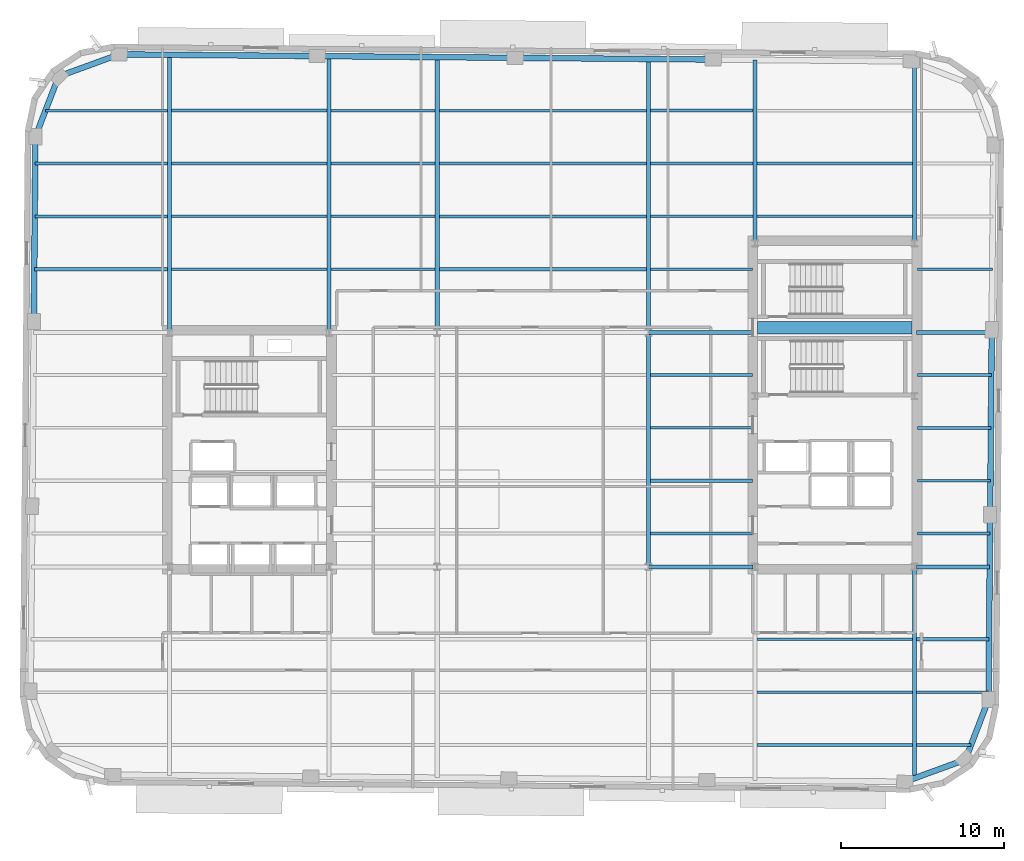
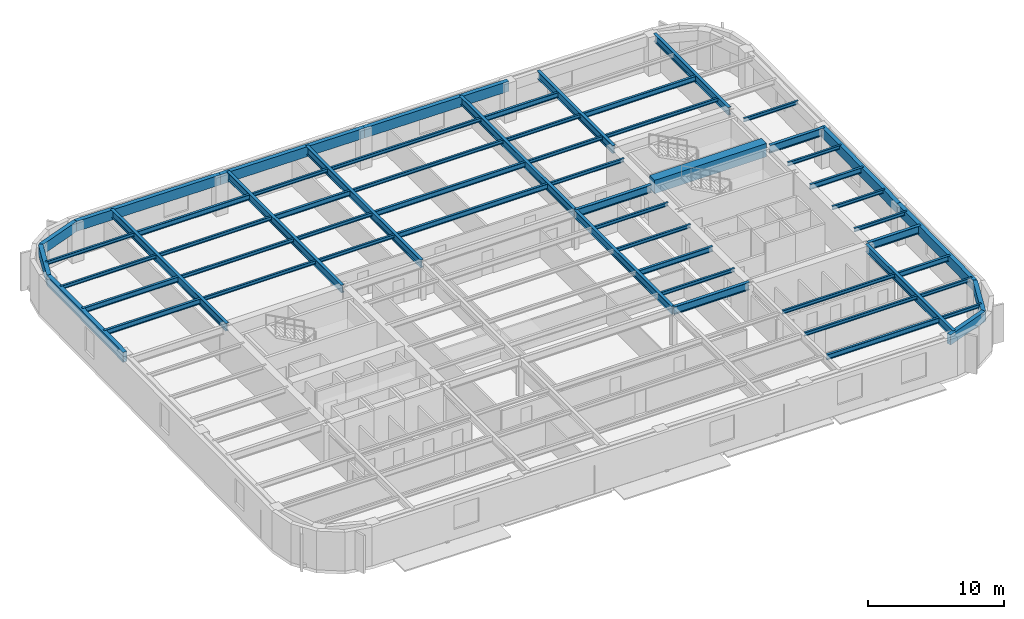
# One storey, part 2 of 12: 60 beams.
"""IFC4 building model written with IfcOpenShell, lengths in metres."""

import ifcopenshell
import ifcopenshell.guid

model = None  # the IFC model being written
_history = None  # IfcOwnerHistory: only IFC2X3 demands one
_inside = {}  # id of a spatial element -> (the spatial element, [elements in it])
_under = {}  # id of a project, library or spatial element -> (it, [spatial elements below it])
_declared = {}  # id of a project -> (the project, [libraries it declares])
_typed = {}  # id of a type object -> (the type object, [elements of that type])
_made_of = {}  # id of a material, layer set ... -> (it, [elements and type objects made of it])


def new_model(schema):
    """Start an empty IFC model of exactly this schema.

    Asked for "IFC4X3", IfcOpenShell would pick the latest addendum, in which some entities
    have other attributes; the version numbers below select the first issue.
    IFC2X3 requires an IfcOwnerHistory on every rooted entity: one is made here for all.
    """
    global model, _history
    if schema == "IFC4X3":
        model = ifcopenshell.file(schema_version=(4, 3, 0, 0))
    else:
        model = ifcopenshell.file(schema=schema)
    _inside.clear()
    _under.clear()
    _declared.clear()
    _typed.clear()
    _made_of.clear()
    _history = None
    if model.schema == "IFC2X3":
        org = make("IfcOrganization", Name="unknown")
        user = make(
            "IfcPersonAndOrganization",
            ThePerson=make("IfcPerson", FamilyName="unknown"),
            TheOrganization=org,
        )
        app = make(
            "IfcApplication",
            ApplicationDeveloper=org,
            Version="unknown",
            ApplicationFullName="unknown",
            ApplicationIdentifier="unknown",
        )
        _history = make(
            "IfcOwnerHistory",
            OwningUser=user,
            OwningApplication=app,
            ChangeAction="ADDED",
            CreationDate=0,
        )
    return model


def make(cls, **values):
    """One entity of the class cls with the attributes given. An attribute that is None is left unset."""
    return model.create_entity(
        cls, **{name: value for name, value in values.items() if value is not None}
    )


def rooted(cls, **values):
    """An entity with a GlobalId (a new one), such as an element, a storey or a relation."""
    return make(cls, GlobalId=ifcopenshell.guid.new(), OwnerHistory=_history, **values)


def si_unit(unit_type, name, prefix=None):
    """IfcSIUnit, for example si_unit("LENGTHUNIT", "METRE", prefix="MILLI")."""
    return make("IfcSIUnit", UnitType=unit_type, Prefix=prefix, Name=name)


def assignment(units):
    """IfcUnitAssignment: the units of a project."""
    return None if units is None else make("IfcUnitAssignment", Units=units)


def point(xyz):
    """IfcCartesianPoint."""
    return None if xyz is None else make("IfcCartesianPoint", Coordinates=xyz)


def direction(xyz):
    """IfcDirection."""
    return None if xyz is None else make("IfcDirection", DirectionRatios=xyz)


def frame(location, z_axis=None, x_axis=None):
    """IfcAxis2Placement3D, a coordinate frame: its origin and axes. An axis left out is left unset."""
    return make(
        "IfcAxis2Placement3D",
        Location=point(location),
        Axis=direction(z_axis),
        RefDirection=direction(x_axis),
    )


def frame_2d(location, x_axis=None):
    """IfcAxis2Placement2D, a coordinate frame in the plane: its origin and x axis."""
    return make(
        "IfcAxis2Placement2D", Location=point(location), RefDirection=direction(x_axis)
    )


def origin():
    """The frame at (0, 0, 0) with its axes left unset."""
    return frame((0.0, 0.0, 0.0))


def origin_2d():
    """The frame at (0, 0) in the plane with its x axis left unset."""
    return frame_2d((0.0, 0.0))


def place(relative_to, where):
    """IfcLocalPlacement: puts the frame where relative to a parent placement (None: the world)."""
    return make(
        "IfcLocalPlacement", PlacementRelTo=relative_to, RelativePlacement=where
    )


def context(
    kind, dimensions, precision=None, world=None, true_north=None, identifier=None
):
    """IfcGeometricRepresentationContext, for example the 3D "Model" context."""
    return make(
        "IfcGeometricRepresentationContext",
        ContextIdentifier=identifier,
        ContextType=kind,
        CoordinateSpaceDimension=dimensions,
        Precision=precision,
        WorldCoordinateSystem=world,
        TrueNorth=true_north,
    )


def subcontext(parent, identifier, kind, view, scale=None):
    """IfcGeometricRepresentationSubContext, for example "Body" below "Model"."""
    return make(
        "IfcGeometricRepresentationSubContext",
        ContextIdentifier=identifier,
        ContextType=kind,
        ParentContext=parent,
        TargetScale=scale,
        TargetView=view,
    )


def project(units=None, contexts=None):
    """IfcProject with its units and contexts."""
    return rooted(
        "IfcProject",
        Name="project",
        RepresentationContexts=contexts,
        UnitsInContext=assignment(units),
    )


def spatial(cls, under=None, at=None, **own):
    """A site, building, storey or space (cls), placed at a placement, below another one or the project."""
    s = rooted(cls, ObjectPlacement=at, **own)
    if under is not None:
        _under.setdefault(under.id(), (under, []))[1].append(s)
    return s


def profile(cls, at=None, kind="AREA", **sizes):
    """A parametric profile (cls). Its sizes go by their IFC names, for example OverallWidth=200.0."""
    return make(cls, ProfileType=kind, Position=at, **sizes)


def rectangle(**sizes):
    """IfcRectangleProfileDef."""
    return profile("IfcRectangleProfileDef", **sizes)


def hollow_rectangle(**sizes):
    """IfcRectangleHollowProfileDef."""
    return profile("IfcRectangleHollowProfileDef", **sizes)


def i_section(**sizes):
    """IfcIShapeProfileDef."""
    return profile("IfcIShapeProfileDef", **sizes)


def extrude(swept, where, along, depth):
    """IfcExtrudedAreaSolid: the profile swept, set in the frame where, extruded along a direction by depth."""
    return make(
        "IfcExtrudedAreaSolid",
        SweptArea=swept,
        Position=where,
        ExtrudedDirection=direction(along),
        Depth=depth,
    )


def shape(context_of_items, identifier, shape_type, items):
    """IfcShapeRepresentation: the items that make up one representation, for example the "Body"."""
    return make(
        "IfcShapeRepresentation",
        ContextOfItems=context_of_items,
        RepresentationIdentifier=identifier,
        RepresentationType=shape_type,
        Items=items,
    )


def material(Name=None, Category=None):
    """IfcMaterial."""
    return make("IfcMaterial", Name=Name, Category=Category)


def material_profile(
    of_material, cross_section, Name=None, Category=None, Priority=None
):
    """IfcMaterialProfile: a cross section and its material."""
    return make(
        "IfcMaterialProfile",
        Name=Name,
        Material=of_material,
        Profile=cross_section,
        Priority=Priority,
        Category=Category,
    )


def profile_set(profiles, Name=None, composite=None):
    """IfcMaterialProfileSet."""
    return make(
        "IfcMaterialProfileSet",
        Name=Name,
        MaterialProfiles=profiles,
        CompositeProfile=composite,
    )


def made_of(thing, what):
    """Note that an element or type object is made of a material, layer set ...; save() writes the relation."""
    if what is not None:
        _made_of.setdefault(what.id(), (what, []))[1].append(thing)
    return thing


def type_object(cls, material=None, **own):
    """A type object (cls), such as IfcWallType, which elements share."""
    return made_of(rooted(cls, **own), material)


def element(
    cls,
    number,
    at=None,
    inside=None,
    cuts=None,
    type_object=None,
    material=None,
    context=None,
    identifier="Body",
    shape_type=None,
    held_by="IfcProductDefinitionShape",
    body=None,
    shapes=None,
    **own,
):
    """One element of the class cls, such as IfcWall. Its Tag is "e" and its number.

    at: its placement. inside: the storey or other place that contains it. cuts: it is an
    opening in that element (IfcRelVoidsElement). A single representation is given by context,
    identifier, shape_type and body (its items); several are given by shapes. held_by: the class
    of the entity that holds the representations. save() writes the other relations.
    """
    e = rooted(cls, Tag="e%d" % number, ObjectPlacement=at, **own)
    if body is not None:
        shapes = [shape(context, identifier, shape_type, body)]
    if shapes is not None:
        e.Representation = make(held_by, Representations=shapes)
    if inside is not None:
        _inside.setdefault(inside.id(), (inside, []))[1].append(e)
    if cuts is not None:
        rooted(
            "IfcRelVoidsElement", RelatingBuildingElement=cuts, RelatedOpeningElement=e
        )
    if type_object is not None:
        _typed.setdefault(type_object.id(), (type_object, []))[1].append(e)
    return made_of(e, material)


def aggregate(whole, parts):
    """IfcRelAggregates: a whole, such as a stair, and the parts it consists of."""
    return rooted("IfcRelAggregates", RelatingObject=whole, RelatedObjects=parts)


def save(model, path):
    """Write the relations noted so far, then the file.

    IfcRelAggregates (storeys below a building ...), IfcRelContainedInSpatialStructure (elements
    in a storey), IfcRelDefinesByType, IfcRelAssociatesMaterial and IfcRelDeclares: one each for
    every whole, place, type object, material and project.
    """
    for whole, parts in _under.values():
        aggregate(whole, parts)
    for where, things in _inside.values():
        rooted(
            "IfcRelContainedInSpatialStructure",
            RelatedElements=things,
            RelatingStructure=where,
        )
    for kind, things in _typed.values():
        rooted("IfcRelDefinesByType", RelatedObjects=things, RelatingType=kind)
    for what, things in _made_of.values():
        rooted("IfcRelAssociatesMaterial", RelatedObjects=things, RelatingMaterial=what)
    for by, libraries in _declared.values():
        rooted("IfcRelDeclares", RelatingContext=by, RelatedDefinitions=libraries)
    model.write(path)


model = new_model("IFC4")

# Units and contexts
model_context = context("Model", 3, precision=1e-05, world=origin(), true_north=direction((0.0, 1.0)))
body_context = subcontext(model_context, "Body", "Model", "MODEL_VIEW")
ifc_project = project(units=[si_unit("LENGTHUNIT", "METRE"), si_unit("AREAUNIT", "SQUARE_METRE"), si_unit("VOLUMEUNIT", "CUBIC_METRE"), si_unit("PLANEANGLEUNIT", "RADIAN"), si_unit("MASSUNIT", "GRAM", prefix="KILO")], contexts=[model_context])

# Site, building, storey
site_placement = place(None, origin())
site = spatial("IfcSite", under=ifc_project, at=site_placement, CompositionType="ELEMENT")
building_placement = place(site_placement, origin())
building = spatial("IfcBuilding", under=site, at=building_placement, Name="Kolvaren Arena Tower", CompositionType="ELEMENT")
storey_placement = place(building_placement, frame((0.0, 0.0, 188.449951171875)))
storey = spatial("IfcBuildingStorey", under=building, at=storey_placement, Name="L45", CompositionType="ELEMENT", Elevation=188.449951171875)

# Beams
ifc_material_1 = material(Name="Steel CSA G40.21 350W", Category="steel")
ifc_material_profile_1 = material_profile(ifc_material_1, i_section(OverallWidth=0.193115234375, OverallDepth=0.462890625, WebThickness=0.0107421875, FlangeThickness=0.0205078125, FilletRadius=0.012939453125, at=origin_2d()), Name="W460x113")
ifc_profile_set_1 = profile_set([ifc_material_profile_1], Name="Steel CSA G40.21 350W")
beam_type_1 = type_object("IfcBeamType", Name="BEAM-F2", PredefinedType="BEAM", material=ifc_profile_set_1)
beam_1_placement = place(storey_placement, frame((50.677490234375, 8.5, 3.24853515625), z_axis=(1.0, 0.0, 0.0), x_axis=(0.0, 1.0, 0.0)))
element("IfcBeam", 1, at=beam_1_placement, inside=storey, type_object=beam_type_1, Name="Composite Floor Beam (L45)", PredefinedType="BEAM", context=body_context, shape_type="SweptSolid", body=[
    extrude(i_section(OverallWidth=0.193115234375, OverallDepth=0.462890625, WebThickness=0.0107421875, FlangeThickness=0.0205078125, FilletRadius=0.012939453125, at=origin_2d()), origin(), (0.0, 0.0, 1.0), 9.544921875),
])
beam_2_placement = place(storey_placement, frame((60.4775390625, 15.0, 3.24853515625), z_axis=(1.0, 0.0, 0.0), x_axis=(0.0, 1.0, 0.0)))
element("IfcBeam", 2, at=beam_2_placement, inside=storey, type_object=beam_type_1, Name="Composite Floor Beam (L45)", PredefinedType="BEAM", context=body_context, shape_type="SweptSolid", body=[
    extrude(i_section(OverallWidth=0.193115234375, OverallDepth=0.462890625, WebThickness=0.0107421875, FlangeThickness=0.0205078125, FilletRadius=0.012939453125, at=origin_2d()), origin(), (0.0, 0.0, 1.0), 4.454833984375),
])
beam_3_placement = place(storey_placement, frame((44.12744140625, 24.75, 3.24853515625), z_axis=(1.0, 0.0, 0.0), x_axis=(0.0, 1.0, 0.0)))
element("IfcBeam", 3, at=beam_3_placement, inside=storey, type_object=beam_type_1, Name="Composite Floor Beam (L45)", PredefinedType="BEAM", context=body_context, shape_type="SweptSolid", body=[
    extrude(i_section(OverallWidth=0.193115234375, OverallDepth=0.462890625, WebThickness=0.0107421875, FlangeThickness=0.0205078125, FilletRadius=0.012939453125, at=origin_2d()), origin(), (0.0, 0.0, 1.0), 6.25244140625),
])
beam_4_placement = place(storey_placement, frame((60.52001953125, 28.0, 3.24853515625), z_axis=(1.0, 0.0, 0.0), x_axis=(0.0, 1.0, 0.0)))
element("IfcBeam", 4, at=beam_4_placement, inside=storey, type_object=beam_type_1, Name="Composite Floor Beam (L45)", PredefinedType="BEAM", context=body_context, shape_type="SweptSolid", body=[
    extrude(i_section(OverallWidth=0.193115234375, OverallDepth=0.462890625, WebThickness=0.0107421875, FlangeThickness=0.0205078125, FilletRadius=0.012939453125, at=origin_2d()), origin(), (0.0, 0.0, 1.0), 4.52587890625),
])
beam_5_placement = place(storey_placement, frame((6.228759765625, 37.75, 3.24853515625), z_axis=(1.0, 0.0, 0.0), x_axis=(0.0, 1.0, 0.0)))
element("IfcBeam", 5, at=beam_5_placement, inside=storey, type_object=beam_type_1, Name="Composite Floor Beam (L45)", PredefinedType="BEAM", context=body_context, shape_type="SweptSolid", body=[
    extrude(i_section(OverallWidth=0.193115234375, OverallDepth=0.462890625, WebThickness=0.0107421875, FlangeThickness=0.0205078125, FilletRadius=0.012939453125, at=origin_2d()), origin(), (0.0, 0.0, 1.0), 8.19384765625),
])
beam_6_placement = place(storey_placement, frame((31.12744140625, 37.75, 3.24853515625), z_axis=(1.0, 0.0, 0.0), x_axis=(0.0, 1.0, 0.0)))
element("IfcBeam", 6, at=beam_6_placement, inside=storey, type_object=beam_type_1, Name="Composite Floor Beam (L45)", PredefinedType="BEAM", context=body_context, shape_type="SweptSolid", body=[
    extrude(i_section(OverallWidth=0.193115234375, OverallDepth=0.462890625, WebThickness=0.0107421875, FlangeThickness=0.0205078125, FilletRadius=0.012939453125, at=origin_2d()), origin(), (0.0, 0.0, 1.0), 12.7451171875),
])
beam_7_placement = place(storey_placement, frame((6.257080078125, 41.0, 3.24853515625), z_axis=(1.0, 0.0, 0.0), x_axis=(0.0, 1.0, 0.0)))
element("IfcBeam", 7, at=beam_7_placement, inside=storey, type_object=beam_type_1, Name="Composite Floor Beam (L45)", PredefinedType="BEAM", context=body_context, shape_type="SweptSolid", body=[
    extrude(i_section(OverallWidth=0.193115234375, OverallDepth=0.462890625, WebThickness=0.0107421875, FlangeThickness=0.0205078125, FilletRadius=0.012939453125, at=origin_2d()), origin(), (0.0, 0.0, 1.0), 8.16552734375),
])
beam_8_placement = place(storey_placement, frame((31.12744140625, 41.0, 3.24853515625), z_axis=(1.0, 0.0, 0.0), x_axis=(0.0, 1.0, 0.0)))
element("IfcBeam", 8, at=beam_8_placement, inside=storey, type_object=beam_type_1, Name="Composite Floor Beam (L45)", PredefinedType="BEAM", context=body_context, shape_type="SweptSolid", body=[
    extrude(i_section(OverallWidth=0.193115234375, OverallDepth=0.462890625, WebThickness=0.0107421875, FlangeThickness=0.0205078125, FilletRadius=0.012939453125, at=origin_2d()), origin(), (0.0, 0.0, 1.0), 12.7451171875),
])
beam_9_placement = place(storey_placement, frame((24.4775390625, 44.25, 3.24853515625), z_axis=(1.0, 0.0, 0.0), x_axis=(0.0, 1.0, 0.0)))
element("IfcBeam", 9, at=beam_9_placement, inside=storey, type_object=beam_type_1, Name="Composite Floor Beam (L45)", PredefinedType="BEAM", context=body_context, shape_type="SweptSolid", body=[
    extrude(i_section(OverallWidth=0.193115234375, OverallDepth=0.462890625, WebThickness=0.0107421875, FlangeThickness=0.0205078125, FilletRadius=0.012939453125, at=origin_2d()), origin(), (0.0, 0.0, 1.0), 6.39501953125),
])
for number, where, z_axis, x_axis, name in (
    (10, (50.677490234375, 44.25, 3.24853515625), (1.0, 0.0, 0.0), (0.0, 1.0, 0.0), "Composite Floor Beam (L45)"),
    (11, (14.677490234375, 47.5, 3.24853515625), (1.0, 0.0, 0.0), (0.0, 1.0, 0.0), "Composite Floor Beam (L45)"),
):
    element("IfcBeam", number, at=place(storey_placement, frame(where, z_axis=z_axis, x_axis=x_axis)), inside=storey, type_object=beam_type_1, Name=name, PredefinedType="BEAM", context=body_context, shape_type="SweptSolid", body=[
        extrude(i_section(OverallWidth=0.193115234375, OverallDepth=0.462890625, WebThickness=0.0107421875, FlangeThickness=0.0205078125, FilletRadius=0.012939453125, at=origin_2d()), origin(), (0.0, 0.0, 1.0), 9.544921875),
    ])
beam_10_placement = place(storey_placement, frame((44.12744140625, 47.5, 3.24853515625), z_axis=(1.0, 0.0, 0.0), x_axis=(0.0, 1.0, 0.0)))
element("IfcBeam", 12, at=beam_10_placement, inside=storey, type_object=beam_type_1, Name="Composite Floor Beam (L45)", PredefinedType="BEAM", context=body_context, shape_type="SweptSolid", body=[
    extrude(i_section(OverallWidth=0.193115234375, OverallDepth=0.462890625, WebThickness=0.0107421875, FlangeThickness=0.0205078125, FilletRadius=0.012939453125, at=origin_2d()), origin(), (0.0, 0.0, 1.0), 6.295166015625),
])
ifc_material_2 = material(Name="Concrete 60 MPa", Category="concrete")
ifc_material_profile_2 = material_profile(ifc_material_2, rectangle(XDim=0.75, YDim=1.199951171875, at=origin_2d()), Name="RC-750x1200")
ifc_profile_set_2 = profile_set([ifc_material_profile_2], Name="Concrete 60 MPa")
beam_type_2 = type_object("IfcBeamType", Name="CB-CORE-2", PredefinedType="BEAM", material=ifc_profile_set_2)
beam_11_placement = place(storey_placement, frame((50.699951171875, 34.14990234375, 3.150146484375), z_axis=(1.0, 0.0, 0.0), x_axis=(0.0, 1.0, 0.0)))
element("IfcBeam", 13, at=beam_11_placement, inside=storey, type_object=beam_type_2, Name="East Core Coupling Beam (L45)", PredefinedType="BEAM", context=body_context, shape_type="SweptSolid", body=[
    extrude(rectangle(XDim=0.75, YDim=1.199951171875, at=origin_2d()), origin(), (0.0, 0.0, 1.0), 9.5),
])
ifc_material_profile_3 = material_profile(ifc_material_1, i_section(OverallWidth=0.2548828125, OverallDepth=0.695068359375, WebThickness=0.01708984375, FlangeThickness=0.02978515625, FilletRadius=0.01611328125, at=origin_2d()), Name="W690x217")
ifc_profile_set_3 = profile_set([ifc_material_profile_3], Name="Steel CSA G40.21 350W")
beam_type_3 = type_object("IfcBeamType", Name="GIRD-T2", PredefinedType="BEAM", material=ifc_profile_set_3)
beam_12_placement = place(storey_placement, frame((44.0, 19.449951171875, 3.132568359375), z_axis=(1.0, 0.0, 0.0), x_axis=(0.0, 1.0, 0.0)))
element("IfcBeam", 14, at=beam_12_placement, inside=storey, type_object=beam_type_3, Name="Primary Floor Girder (L45)", PredefinedType="BEAM", context=body_context, shape_type="SweptSolid", body=[
    extrude(i_section(OverallWidth=0.2548828125, OverallDepth=0.695068359375, WebThickness=0.01708984375, FlangeThickness=0.02978515625, FilletRadius=0.01611328125, at=origin_2d()), origin(), (0.0, 0.0, 1.0), 6.419921875),
])
beam_13_placement = place(storey_placement, frame((60.47998046875, 19.449951171875, 3.132568359375), z_axis=(1.0, 0.0, 0.0), x_axis=(0.0, 1.0, 0.0)))
element("IfcBeam", 15, at=beam_13_placement, inside=storey, type_object=beam_type_3, Name="Primary Floor Girder (L45)", PredefinedType="BEAM", context=body_context, shape_type="SweptSolid", body=[
    extrude(i_section(OverallWidth=0.2548828125, OverallDepth=0.695068359375, WebThickness=0.01708984375, FlangeThickness=0.02978515625, FilletRadius=0.01611328125, at=origin_2d()), origin(), (0.0, 0.0, 1.0), 4.4912109375),
])
beam_14_placement = place(storey_placement, frame((44.0, 33.85009765625, 3.132568359375), z_axis=(1.0, 0.0, 0.0), x_axis=(0.0, 1.0, 0.0)))
element("IfcBeam", 16, at=beam_14_placement, inside=storey, type_object=beam_type_3, Name="Primary Floor Girder (L45)", PredefinedType="BEAM", context=body_context, shape_type="SweptSolid", body=[
    extrude(i_section(OverallWidth=0.2548828125, OverallDepth=0.695068359375, WebThickness=0.01708984375, FlangeThickness=0.02978515625, FilletRadius=0.01611328125, at=origin_2d()), origin(), (0.0, 0.0, 1.0), 6.419921875),
])
beam_15_placement = place(storey_placement, frame((60.47998046875, 33.85009765625, 3.132568359375), z_axis=(1.0, 0.0, 0.0), x_axis=(0.0, 1.0, 0.0)))
element("IfcBeam", 17, at=beam_15_placement, inside=storey, type_object=beam_type_3, Name="Primary Floor Girder (L45)", PredefinedType="BEAM", context=body_context, shape_type="SweptSolid", body=[
    extrude(i_section(OverallWidth=0.2548828125, OverallDepth=0.695068359375, WebThickness=0.01708984375, FlangeThickness=0.02978515625, FilletRadius=0.01611328125, at=origin_2d()), origin(), (0.0, 0.0, 1.0), 4.616943359375),
])
beam_16_placement = place(storey_placement, frame((14.550048828125, 33.97998046875, 3.132568359375), z_axis=(0.0, 1.0, 0.0), x_axis=(-1.0, 0.0, 0.0)))
element("IfcBeam", 18, at=beam_16_placement, inside=storey, type_object=beam_type_3, Name="Primary Floor Girder (L45)", PredefinedType="BEAM", context=body_context, shape_type="SweptSolid", body=[
    extrude(i_section(OverallWidth=0.2548828125, OverallDepth=0.695068359375, WebThickness=0.01708984375, FlangeThickness=0.02978515625, FilletRadius=0.01611328125, at=origin_2d()), origin(), (0.0, 0.0, 1.0), 16.95458984375),
])
beam_17_placement = place(storey_placement, frame((24.35009765625, 33.97998046875, 3.132568359375), z_axis=(0.0, 1.0, 0.0), x_axis=(-1.0, 0.0, 0.0)))
element("IfcBeam", 19, at=beam_17_placement, inside=storey, type_object=beam_type_3, Name="Primary Floor Girder (L45)", PredefinedType="BEAM", context=body_context, shape_type="SweptSolid", body=[
    extrude(i_section(OverallWidth=0.2548828125, OverallDepth=0.695068359375, WebThickness=0.01708984375, FlangeThickness=0.02978515625, FilletRadius=0.01611328125, at=origin_2d()), origin(), (0.0, 0.0, 1.0), 16.869140625),
])
beam_18_placement = place(storey_placement, frame((31.0, 33.85009765625, 3.132568359375), z_axis=(0.0, 1.0, 0.0), x_axis=(-1.0, 0.0, 0.0)))
element("IfcBeam", 20, at=beam_18_placement, inside=storey, type_object=beam_type_3, Name="Primary Floor Girder (L45)", PredefinedType="BEAM", context=body_context, shape_type="SweptSolid", body=[
    extrude(i_section(OverallWidth=0.2548828125, OverallDepth=0.695068359375, WebThickness=0.01708984375, FlangeThickness=0.02978515625, FilletRadius=0.01611328125, at=origin_2d()), origin(), (0.0, 0.0, 1.0), 16.94091796875),
])
beam_19_placement = place(storey_placement, frame((44.0, 19.449951171875, 3.132568359375), z_axis=(0.0, 1.0, 0.0), x_axis=(-1.0, 0.0, 0.0)))
element("IfcBeam", 21, at=beam_19_placement, inside=storey, type_object=beam_type_3, Name="Primary Floor Girder (L45)", PredefinedType="BEAM", context=body_context, shape_type="SweptSolid", body=[
    extrude(i_section(OverallWidth=0.2548828125, OverallDepth=0.695068359375, WebThickness=0.01708984375, FlangeThickness=0.02978515625, FilletRadius=0.01611328125, at=origin_2d()), origin(), (0.0, 0.0, 1.0), 14.400146484375),
])
beam_20_placement = place(storey_placement, frame((44.0, 33.85009765625, 3.132568359375), z_axis=(0.0, 1.0, 0.0), x_axis=(-1.0, 0.0, 0.0)))
element("IfcBeam", 22, at=beam_20_placement, inside=storey, type_object=beam_type_3, Name="Primary Floor Girder (L45)", PredefinedType="BEAM", context=body_context, shape_type="SweptSolid", body=[
    extrude(i_section(OverallWidth=0.2548828125, OverallDepth=0.695068359375, WebThickness=0.01708984375, FlangeThickness=0.02978515625, FilletRadius=0.01611328125, at=origin_2d()), origin(), (0.0, 0.0, 1.0), 16.827392578125),
])
beam_21_placement = place(storey_placement, frame((50.550048828125, 39.47998046875, 3.132568359375), z_axis=(0.0, 1.0, 0.0), x_axis=(-1.0, 0.0, 0.0)))
element("IfcBeam", 23, at=beam_21_placement, inside=storey, type_object=beam_type_3, Name="Primary Floor Girder (L45)", PredefinedType="BEAM", context=body_context, shape_type="SweptSolid", body=[
    extrude(i_section(OverallWidth=0.2548828125, OverallDepth=0.695068359375, WebThickness=0.01708984375, FlangeThickness=0.02978515625, FilletRadius=0.01611328125, at=origin_2d()), origin(), (0.0, 0.0, 1.0), 11.140380859375),
])
beam_22_placement = place(storey_placement, frame((60.35009765625, 6.455322265625, 3.132568359375), z_axis=(0.0, 1.0, 0.0), x_axis=(-1.0, 0.0, 0.0)))
element("IfcBeam", 24, at=beam_22_placement, inside=storey, type_object=beam_type_3, Name="Primary Floor Girder (L45)", PredefinedType="BEAM", context=body_context, shape_type="SweptSolid", body=[
    extrude(i_section(OverallWidth=0.2548828125, OverallDepth=0.695068359375, WebThickness=0.01708984375, FlangeThickness=0.02978515625, FilletRadius=0.01611328125, at=origin_2d()), origin(), (0.0, 0.0, 1.0), 12.86474609375),
])
beam_23_placement = place(storey_placement, frame((60.35009765625, 39.47998046875, 3.132568359375), z_axis=(0.0, 1.0, 0.0), x_axis=(-1.0, 0.0, 0.0)))
element("IfcBeam", 25, at=beam_23_placement, inside=storey, type_object=beam_type_3, Name="Primary Floor Girder (L45)", PredefinedType="BEAM", context=body_context, shape_type="SweptSolid", body=[
    extrude(i_section(OverallWidth=0.2548828125, OverallDepth=0.695068359375, WebThickness=0.01708984375, FlangeThickness=0.02978515625, FilletRadius=0.01611328125, at=origin_2d()), origin(), (0.0, 0.0, 1.0), 10.976806640625),
])
ifc_material_profile_4 = material_profile(ifc_material_1, i_section(OverallWidth=0.1669921875, OverallDepth=0.31689453125, WebThickness=0.007568359375, FlangeThickness=0.01318359375, FilletRadius=0.010009765625, at=origin_2d()), Name="W310x52")
ifc_profile_set_4 = profile_set([ifc_material_profile_4], Name="Steel CSA G40.21 350W")
beam_type_4 = type_object("IfcBeamType", Name="JOIST-02", PredefinedType="JOIST", material=ifc_profile_set_4)
beam_24_placement = place(storey_placement, frame((60.4775390625, 8.5, 3.321533203125), z_axis=(1.0, 0.0, 0.0), x_axis=(0.0, 1.0, 0.0)))
element("IfcBeam", 26, at=beam_24_placement, inside=storey, type_object=beam_type_4, Name="Composite Floor Joist (L45)", PredefinedType="JOIST", context=body_context, shape_type="SweptSolid", body=[
    extrude(i_section(OverallWidth=0.1669921875, OverallDepth=0.31689453125, WebThickness=0.007568359375, FlangeThickness=0.01318359375, FilletRadius=0.010009765625, at=origin_2d()), origin(), (0.0, 0.0, 1.0), 3.3466796875),
])
beam_25_placement = place(storey_placement, frame((50.677490234375, 11.75, 3.321533203125), z_axis=(1.0, 0.0, 0.0), x_axis=(0.0, 1.0, 0.0)))
element("IfcBeam", 27, at=beam_25_placement, inside=storey, type_object=beam_type_4, Name="Composite Floor Joist (L45)", PredefinedType="JOIST", context=body_context, shape_type="SweptSolid", body=[
    extrude(i_section(OverallWidth=0.1669921875, OverallDepth=0.31689453125, WebThickness=0.007568359375, FlangeThickness=0.01318359375, FilletRadius=0.010009765625, at=origin_2d()), origin(), (0.0, 0.0, 1.0), 9.544921875),
])
beam_26_placement = place(storey_placement, frame((60.4775390625, 11.75, 3.321533203125), z_axis=(1.0, 0.0, 0.0), x_axis=(0.0, 1.0, 0.0)))
element("IfcBeam", 28, at=beam_26_placement, inside=storey, type_object=beam_type_4, Name="Composite Floor Joist (L45)", PredefinedType="JOIST", context=body_context, shape_type="SweptSolid", body=[
    extrude(i_section(OverallWidth=0.1669921875, OverallDepth=0.31689453125, WebThickness=0.007568359375, FlangeThickness=0.01318359375, FilletRadius=0.010009765625, at=origin_2d()), origin(), (0.0, 0.0, 1.0), 4.426513671875),
])
beam_27_placement = place(storey_placement, frame((50.677490234375, 15.0, 3.321533203125), z_axis=(1.0, 0.0, 0.0), x_axis=(0.0, 1.0, 0.0)))
element("IfcBeam", 29, at=beam_27_placement, inside=storey, type_object=beam_type_4, Name="Composite Floor Joist (L45)", PredefinedType="JOIST", context=body_context, shape_type="SweptSolid", body=[
    extrude(i_section(OverallWidth=0.1669921875, OverallDepth=0.31689453125, WebThickness=0.007568359375, FlangeThickness=0.01318359375, FilletRadius=0.010009765625, at=origin_2d()), origin(), (0.0, 0.0, 1.0), 9.544921875),
])
beam_28_placement = place(storey_placement, frame((44.12744140625, 21.5, 3.321533203125), z_axis=(1.0, 0.0, 0.0), x_axis=(0.0, 1.0, 0.0)))
element("IfcBeam", 30, at=beam_28_placement, inside=storey, type_object=beam_type_4, Name="Composite Floor Joist (L45)", PredefinedType="JOIST", context=body_context, shape_type="SweptSolid", body=[
    extrude(i_section(OverallWidth=0.1669921875, OverallDepth=0.31689453125, WebThickness=0.007568359375, FlangeThickness=0.01318359375, FilletRadius=0.010009765625, at=origin_2d()), origin(), (0.0, 0.0, 1.0), 6.25244140625),
])
beam_29_placement = place(storey_placement, frame((60.52001953125, 21.5, 3.321533203125), z_axis=(1.0, 0.0, 0.0), x_axis=(0.0, 1.0, 0.0)))
element("IfcBeam", 31, at=beam_29_placement, inside=storey, type_object=beam_type_4, Name="Composite Floor Joist (L45)", PredefinedType="JOIST", context=body_context, shape_type="SweptSolid", body=[
    extrude(i_section(OverallWidth=0.1669921875, OverallDepth=0.31689453125, WebThickness=0.007568359375, FlangeThickness=0.01318359375, FilletRadius=0.010009765625, at=origin_2d()), origin(), (0.0, 0.0, 1.0), 4.46923828125),
])
beam_30_placement = place(storey_placement, frame((60.52001953125, 24.75, 3.321533203125), z_axis=(1.0, 0.0, 0.0), x_axis=(0.0, 1.0, 0.0)))
element("IfcBeam", 32, at=beam_30_placement, inside=storey, type_object=beam_type_4, Name="Composite Floor Joist (L45)", PredefinedType="JOIST", context=body_context, shape_type="SweptSolid", body=[
    extrude(i_section(OverallWidth=0.1669921875, OverallDepth=0.31689453125, WebThickness=0.007568359375, FlangeThickness=0.01318359375, FilletRadius=0.010009765625, at=origin_2d()), origin(), (0.0, 0.0, 1.0), 4.49755859375),
])
for number, where, z_axis, x_axis, name in (
    (33, (44.12744140625, 28.0, 3.321533203125), (1.0, 0.0, 0.0), (0.0, 1.0, 0.0), "Composite Floor Joist (L45)"),
    (34, (44.12744140625, 31.25, 3.321533203125), (1.0, 0.0, 0.0), (0.0, 1.0, 0.0), "Composite Floor Joist (L45)"),
):
    element("IfcBeam", number, at=place(storey_placement, frame(where, z_axis=z_axis, x_axis=x_axis)), inside=storey, type_object=beam_type_4, Name=name, PredefinedType="JOIST", context=body_context, shape_type="SweptSolid", body=[
        extrude(i_section(OverallWidth=0.1669921875, OverallDepth=0.31689453125, WebThickness=0.007568359375, FlangeThickness=0.01318359375, FilletRadius=0.010009765625, at=origin_2d()), origin(), (0.0, 0.0, 1.0), 6.25244140625),
    ])
beam_31_placement = place(storey_placement, frame((60.52001953125, 31.25, 3.321533203125), z_axis=(1.0, 0.0, 0.0), x_axis=(0.0, 1.0, 0.0)))
element("IfcBeam", 35, at=beam_31_placement, inside=storey, type_object=beam_type_4, Name="Composite Floor Joist (L45)", PredefinedType="JOIST", context=body_context, shape_type="SweptSolid", body=[
    extrude(i_section(OverallWidth=0.1669921875, OverallDepth=0.31689453125, WebThickness=0.007568359375, FlangeThickness=0.01318359375, FilletRadius=0.010009765625, at=origin_2d()), origin(), (0.0, 0.0, 1.0), 4.55419921875),
])
beam_32_placement = place(storey_placement, frame((14.677490234375, 37.75, 3.321533203125), z_axis=(1.0, 0.0, 0.0), x_axis=(0.0, 1.0, 0.0)))
element("IfcBeam", 36, at=beam_32_placement, inside=storey, type_object=beam_type_4, Name="Composite Floor Joist (L45)", PredefinedType="JOIST", context=body_context, shape_type="SweptSolid", body=[
    extrude(i_section(OverallWidth=0.1669921875, OverallDepth=0.31689453125, WebThickness=0.007568359375, FlangeThickness=0.01318359375, FilletRadius=0.010009765625, at=origin_2d()), origin(), (0.0, 0.0, 1.0), 9.544921875),
])
beam_33_placement = place(storey_placement, frame((24.4775390625, 37.75, 3.321533203125), z_axis=(1.0, 0.0, 0.0), x_axis=(0.0, 1.0, 0.0)))
element("IfcBeam", 37, at=beam_33_placement, inside=storey, type_object=beam_type_4, Name="Composite Floor Joist (L45)", PredefinedType="JOIST", context=body_context, shape_type="SweptSolid", body=[
    extrude(i_section(OverallWidth=0.1669921875, OverallDepth=0.31689453125, WebThickness=0.007568359375, FlangeThickness=0.01318359375, FilletRadius=0.010009765625, at=origin_2d()), origin(), (0.0, 0.0, 1.0), 6.39501953125),
])
beam_34_placement = place(storey_placement, frame((44.12744140625, 37.75, 3.321533203125), z_axis=(1.0, 0.0, 0.0), x_axis=(0.0, 1.0, 0.0)))
element("IfcBeam", 38, at=beam_34_placement, inside=storey, type_object=beam_type_4, Name="Composite Floor Joist (L45)", PredefinedType="JOIST", context=body_context, shape_type="SweptSolid", body=[
    extrude(i_section(OverallWidth=0.1669921875, OverallDepth=0.31689453125, WebThickness=0.007568359375, FlangeThickness=0.01318359375, FilletRadius=0.010009765625, at=origin_2d()), origin(), (0.0, 0.0, 1.0), 6.25244140625),
])
beam_35_placement = place(storey_placement, frame((60.52001953125, 37.75, 3.321533203125), z_axis=(1.0, 0.0, 0.0), x_axis=(0.0, 1.0, 0.0)))
element("IfcBeam", 39, at=beam_35_placement, inside=storey, type_object=beam_type_4, Name="Composite Floor Joist (L45)", PredefinedType="JOIST", context=body_context, shape_type="SweptSolid", body=[
    extrude(i_section(OverallWidth=0.1669921875, OverallDepth=0.31689453125, WebThickness=0.007568359375, FlangeThickness=0.01318359375, FilletRadius=0.010009765625, at=origin_2d()), origin(), (0.0, 0.0, 1.0), 4.611083984375),
])
beam_36_placement = place(storey_placement, frame((14.677490234375, 41.0, 3.321533203125), z_axis=(1.0, 0.0, 0.0), x_axis=(0.0, 1.0, 0.0)))
element("IfcBeam", 40, at=beam_36_placement, inside=storey, type_object=beam_type_4, Name="Composite Floor Joist (L45)", PredefinedType="JOIST", context=body_context, shape_type="SweptSolid", body=[
    extrude(i_section(OverallWidth=0.1669921875, OverallDepth=0.31689453125, WebThickness=0.007568359375, FlangeThickness=0.01318359375, FilletRadius=0.010009765625, at=origin_2d()), origin(), (0.0, 0.0, 1.0), 9.544921875),
])
beam_37_placement = place(storey_placement, frame((24.4775390625, 41.0, 3.321533203125), z_axis=(1.0, 0.0, 0.0), x_axis=(0.0, 1.0, 0.0)))
element("IfcBeam", 41, at=beam_37_placement, inside=storey, type_object=beam_type_4, Name="Composite Floor Joist (L45)", PredefinedType="JOIST", context=body_context, shape_type="SweptSolid", body=[
    extrude(i_section(OverallWidth=0.1669921875, OverallDepth=0.31689453125, WebThickness=0.007568359375, FlangeThickness=0.01318359375, FilletRadius=0.010009765625, at=origin_2d()), origin(), (0.0, 0.0, 1.0), 6.39501953125),
])
beam_38_placement = place(storey_placement, frame((44.12744140625, 41.0, 3.321533203125), z_axis=(1.0, 0.0, 0.0), x_axis=(0.0, 1.0, 0.0)))
element("IfcBeam", 42, at=beam_38_placement, inside=storey, type_object=beam_type_4, Name="Composite Floor Joist (L45)", PredefinedType="JOIST", context=body_context, shape_type="SweptSolid", body=[
    extrude(i_section(OverallWidth=0.1669921875, OverallDepth=0.31689453125, WebThickness=0.007568359375, FlangeThickness=0.01318359375, FilletRadius=0.010009765625, at=origin_2d()), origin(), (0.0, 0.0, 1.0), 6.295166015625),
])
beam_39_placement = place(storey_placement, frame((50.677490234375, 41.0, 3.321533203125), z_axis=(1.0, 0.0, 0.0), x_axis=(0.0, 1.0, 0.0)))
element("IfcBeam", 43, at=beam_39_placement, inside=storey, type_object=beam_type_4, Name="Composite Floor Joist (L45)", PredefinedType="JOIST", context=body_context, shape_type="SweptSolid", body=[
    extrude(i_section(OverallWidth=0.1669921875, OverallDepth=0.31689453125, WebThickness=0.007568359375, FlangeThickness=0.01318359375, FilletRadius=0.010009765625, at=origin_2d()), origin(), (0.0, 0.0, 1.0), 9.544921875),
])
beam_40_placement = place(storey_placement, frame((6.285400390625, 44.25, 3.321533203125), z_axis=(1.0, 0.0, 0.0), x_axis=(0.0, 1.0, 0.0)))
element("IfcBeam", 44, at=beam_40_placement, inside=storey, type_object=beam_type_4, Name="Composite Floor Joist (L45)", PredefinedType="JOIST", context=body_context, shape_type="SweptSolid", body=[
    extrude(i_section(OverallWidth=0.1669921875, OverallDepth=0.31689453125, WebThickness=0.007568359375, FlangeThickness=0.01318359375, FilletRadius=0.010009765625, at=origin_2d()), origin(), (0.0, 0.0, 1.0), 8.13720703125),
])
beam_41_placement = place(storey_placement, frame((14.677490234375, 44.25, 3.321533203125), z_axis=(1.0, 0.0, 0.0), x_axis=(0.0, 1.0, 0.0)))
element("IfcBeam", 45, at=beam_41_placement, inside=storey, type_object=beam_type_4, Name="Composite Floor Joist (L45)", PredefinedType="JOIST", context=body_context, shape_type="SweptSolid", body=[
    extrude(i_section(OverallWidth=0.1669921875, OverallDepth=0.31689453125, WebThickness=0.007568359375, FlangeThickness=0.01318359375, FilletRadius=0.010009765625, at=origin_2d()), origin(), (0.0, 0.0, 1.0), 9.544921875),
])
beam_42_placement = place(storey_placement, frame((31.12744140625, 44.25, 3.321533203125), z_axis=(1.0, 0.0, 0.0), x_axis=(0.0, 1.0, 0.0)))
element("IfcBeam", 46, at=beam_42_placement, inside=storey, type_object=beam_type_4, Name="Composite Floor Joist (L45)", PredefinedType="JOIST", context=body_context, shape_type="SweptSolid", body=[
    extrude(i_section(OverallWidth=0.1669921875, OverallDepth=0.31689453125, WebThickness=0.007568359375, FlangeThickness=0.01318359375, FilletRadius=0.010009765625, at=origin_2d()), origin(), (0.0, 0.0, 1.0), 12.7451171875),
])
beam_43_placement = place(storey_placement, frame((44.12744140625, 44.25, 3.321533203125), z_axis=(1.0, 0.0, 0.0), x_axis=(0.0, 1.0, 0.0)))
element("IfcBeam", 47, at=beam_43_placement, inside=storey, type_object=beam_type_4, Name="Composite Floor Joist (L45)", PredefinedType="JOIST", context=body_context, shape_type="SweptSolid", body=[
    extrude(i_section(OverallWidth=0.1669921875, OverallDepth=0.31689453125, WebThickness=0.007568359375, FlangeThickness=0.01318359375, FilletRadius=0.010009765625, at=origin_2d()), origin(), (0.0, 0.0, 1.0), 6.295166015625),
])
beam_44_placement = place(storey_placement, frame((6.913818359375, 47.5, 3.321533203125), z_axis=(1.0, 0.0, 0.0), x_axis=(0.0, 1.0, 0.0)))
element("IfcBeam", 48, at=beam_44_placement, inside=storey, type_object=beam_type_4, Name="Composite Floor Joist (L45)", PredefinedType="JOIST", context=body_context, shape_type="SweptSolid", body=[
    extrude(i_section(OverallWidth=0.1669921875, OverallDepth=0.31689453125, WebThickness=0.007568359375, FlangeThickness=0.01318359375, FilletRadius=0.010009765625, at=origin_2d()), origin(), (0.0, 0.0, 1.0), 7.5087890625),
])
beam_45_placement = place(storey_placement, frame((24.4775390625, 47.5, 3.321533203125), z_axis=(1.0, 0.0, 0.0), x_axis=(0.0, 1.0, 0.0)))
element("IfcBeam", 49, at=beam_45_placement, inside=storey, type_object=beam_type_4, Name="Composite Floor Joist (L45)", PredefinedType="JOIST", context=body_context, shape_type="SweptSolid", body=[
    extrude(i_section(OverallWidth=0.1669921875, OverallDepth=0.31689453125, WebThickness=0.007568359375, FlangeThickness=0.01318359375, FilletRadius=0.010009765625, at=origin_2d()), origin(), (0.0, 0.0, 1.0), 6.39501953125),
])
beam_46_placement = place(storey_placement, frame((31.12744140625, 47.5, 3.321533203125), z_axis=(1.0, 0.0, 0.0), x_axis=(0.0, 1.0, 0.0)))
element("IfcBeam", 50, at=beam_46_placement, inside=storey, type_object=beam_type_4, Name="Composite Floor Joist (L45)", PredefinedType="JOIST", context=body_context, shape_type="SweptSolid", body=[
    extrude(i_section(OverallWidth=0.1669921875, OverallDepth=0.31689453125, WebThickness=0.007568359375, FlangeThickness=0.01318359375, FilletRadius=0.010009765625, at=origin_2d()), origin(), (0.0, 0.0, 1.0), 12.7451171875),
])
ifc_material_3 = material(Name="Steel CSA G40.21 350WT", Category="steel")
ifc_material_profile_5 = material_profile(ifc_material_3, hollow_rectangle(XDim=0.35009765625, YDim=0.89990234375, WallThickness=0.02001953125, at=origin_2d()), Name="HSS 900x350x20")
ifc_profile_set_5 = profile_set([ifc_material_profile_5], Name="Steel CSA G40.21 350WT")
beam_type_5 = type_object("IfcBeamType", Name="SPAND-01", PredefinedType="SPANDREL", material=ifc_profile_set_5)
for number, where, z_axis, x_axis, name in (
    (51, (59.755859375, 6.23828125, 3.030029296875), (0.939313819882, 0.343059102458, 0.0), (-0.343059102458, 0.939313819882, 0.0), "Perimeter Spandrel Beam (L45)"),
    (52, (63.4765625, 7.59716796875, 3.030029296875), (0.359383792094, 0.933189846698, 0.0), (-0.933189846698, 0.359383792094, 0.0), "Perimeter Spandrel Beam (L45)"),
):
    element("IfcBeam", number, at=place(storey_placement, frame(where, z_axis=z_axis, x_axis=x_axis)), inside=storey, type_object=beam_type_5, Name=name, PredefinedType="SPANDREL", context=body_context, shape_type="SweptSolid", body=[
        extrude(hollow_rectangle(XDim=0.35009765625, YDim=0.89990234375, WallThickness=0.02001953125, at=origin_2d()), origin(), (0.0, 0.0, 1.0), 3.961181640625),
    ])
for number, where, z_axis, x_axis, name in (
    (53, (64.900146484375, 11.293701171875, 3.030029296875), (0.008720348885, 0.999961977035, 0.0), (-0.999961977035, 0.008720348885, 0.0), "Perimeter Spandrel Beam (L45)"),
    (54, (64.999267578125, 22.659912109375, 3.030029296875), (0.008720348885, 0.999961977035, 0.0), (-0.999961977035, 0.008720348885, 0.0), "Perimeter Spandrel Beam (L45)"),
):
    element("IfcBeam", number, at=place(storey_placement, frame(where, z_axis=z_axis, x_axis=x_axis)), inside=storey, type_object=beam_type_5, Name=name, PredefinedType="SPANDREL", context=body_context, shape_type="SweptSolid", body=[
        extrude(hollow_rectangle(XDim=0.35009765625, YDim=0.89990234375, WallThickness=0.02001953125, at=origin_2d()), origin(), (0.0, 0.0, 1.0), 11.36669921875),
    ])
beam_47_placement = place(storey_placement, frame((47.9677734375, 50.642822265625, 3.030029296875), z_axis=(-0.999961779919, 0.008742922896, 0.0), x_axis=(-0.008742922896, -0.999961779919, 0.0)))
element("IfcBeam", 55, at=beam_47_placement, inside=storey, type_object=beam_type_5, Name="Perimeter Spandrel Beam (L45)", PredefinedType="SPANDREL", context=body_context, shape_type="SweptSolid", body=[
    extrude(hollow_rectangle(XDim=0.35009765625, YDim=0.89990234375, WallThickness=0.02001953125, at=origin_2d()), origin(), (0.0, 0.0, 1.0), 12.175048828125),
])
beam_48_placement = place(storey_placement, frame((35.793212890625, 50.749267578125, 3.030029296875), z_axis=(-0.999961953504, 0.008723046761, 0.0), x_axis=(-0.008723046761, -0.999961953504, 0.0)))
element("IfcBeam", 56, at=beam_48_placement, inside=storey, type_object=beam_type_5, Name="Perimeter Spandrel Beam (L45)", PredefinedType="SPANDREL", context=body_context, shape_type="SweptSolid", body=[
    extrude(hollow_rectangle(XDim=0.35009765625, YDim=0.89990234375, WallThickness=0.02001953125, at=origin_2d()), origin(), (0.0, 0.0, 1.0), 12.1748046875),
])
beam_49_placement = place(storey_placement, frame((23.618896484375, 50.85546875, 3.030029296875), z_axis=(-0.999961956555, 0.008722696942, 0.0), x_axis=(-0.008722696942, -0.999961956555, 0.0)))
element("IfcBeam", 57, at=beam_49_placement, inside=storey, type_object=beam_type_5, Name="Perimeter Spandrel Beam (L45)", PredefinedType="SPANDREL", context=body_context, shape_type="SweptSolid", body=[
    extrude(hollow_rectangle(XDim=0.35009765625, YDim=0.89990234375, WallThickness=0.02001953125, at=origin_2d()), origin(), (0.0, 0.0, 1.0), 12.17529296875),
])
for number, where, z_axis, x_axis, name in (
    (58, (11.444091796875, 50.961669921875, 3.030029296875), (-0.939313819882, -0.343059102458, 0.0), (0.343059102458, -0.939313819882, 0.0), "Perimeter Spandrel Beam (L45)"),
    (59, (7.723388671875, 49.602783203125, 3.030029296875), (-0.359383792094, -0.933189846698, 0.0), (0.933189846698, -0.359383792094, 0.0), "Perimeter Spandrel Beam (L45)"),
):
    element("IfcBeam", number, at=place(storey_placement, frame(where, z_axis=z_axis, x_axis=x_axis)), inside=storey, type_object=beam_type_5, Name=name, PredefinedType="SPANDREL", context=body_context, shape_type="SweptSolid", body=[
        extrude(hollow_rectangle(XDim=0.35009765625, YDim=0.89990234375, WallThickness=0.02001953125, at=origin_2d()), origin(), (0.0, 0.0, 1.0), 3.961181640625),
    ])
beam_50_placement = place(storey_placement, frame((6.2998046875, 45.90625, 3.030029296875), z_axis=(-0.008720348885, -0.999961977035, 0.0), x_axis=(0.999961977035, -0.008720348885, 0.0)))
element("IfcBeam", 60, at=beam_50_placement, inside=storey, type_object=beam_type_5, Name="Perimeter Spandrel Beam (L45)", PredefinedType="SPANDREL", context=body_context, shape_type="SweptSolid", body=[
    extrude(hollow_rectangle(XDim=0.35009765625, YDim=0.89990234375, WallThickness=0.02001953125, at=origin_2d()), origin(), (0.0, 0.0, 1.0), 11.36669921875),
])

save(model, "model.ifc")
